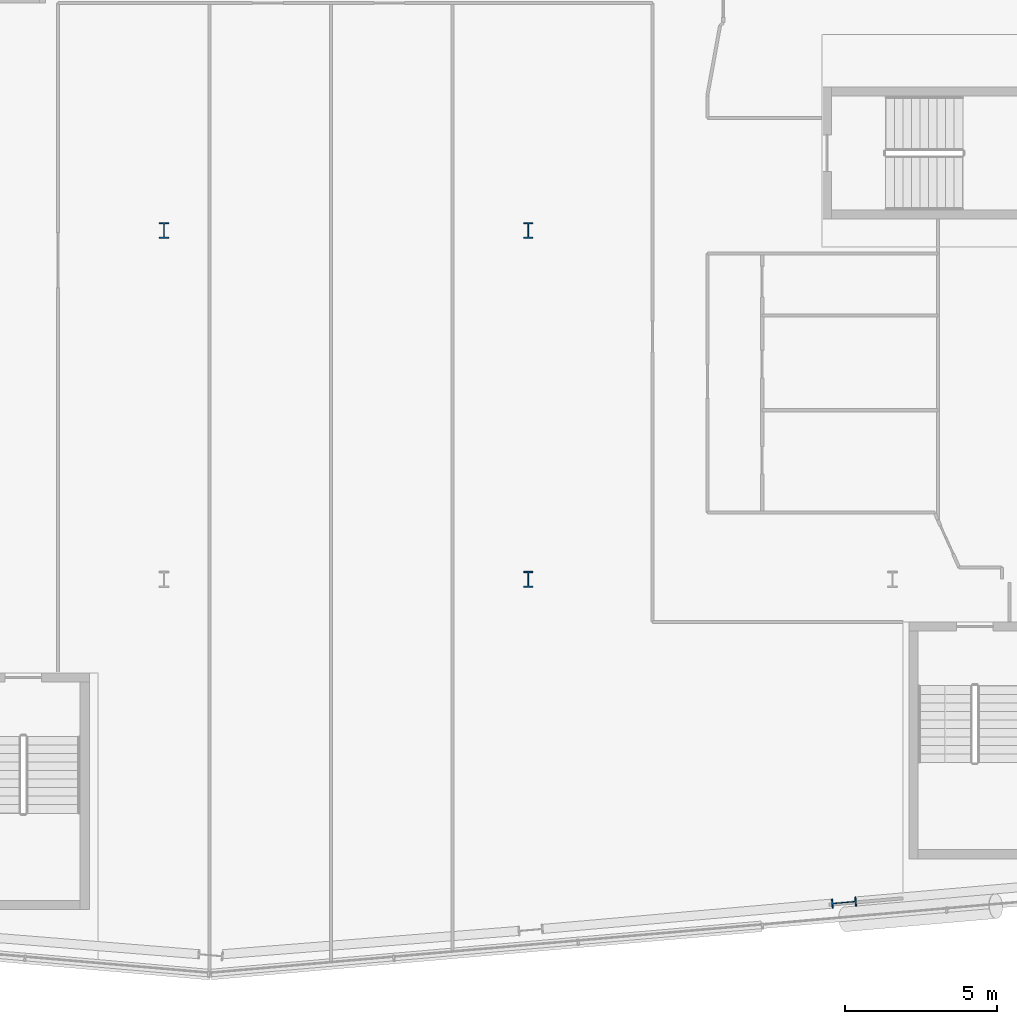
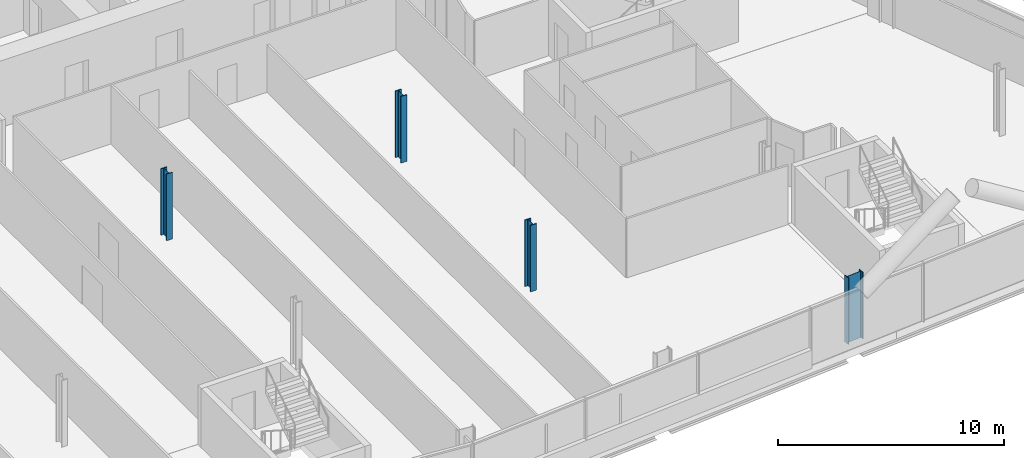
# One storey, part 2 of 25: 4 columns.
"""IFC4 building model written with IfcOpenShell, lengths in metres."""

from ifc_helpers import new_model, si_unit, direction, frame, origin, origin_2d, place, context, subcontext, project, spatial, i_section, extrude, material, material_profile, profile_set, type_object, element, save


model = new_model("IFC4")

# Units and contexts
model_context = context("Model", 3, precision=1e-05, world=origin(), true_north=direction((0.0, 1.0)))
body_context = subcontext(model_context, "Body", "Model", "MODEL_VIEW")
ifc_project = project(units=[si_unit("LENGTHUNIT", "METRE"), si_unit("AREAUNIT", "SQUARE_METRE"), si_unit("VOLUMEUNIT", "CUBIC_METRE"), si_unit("PLANEANGLEUNIT", "RADIAN"), si_unit("MASSUNIT", "GRAM", prefix="KILO")], contexts=[model_context])

# Site, building, storey
site_placement = place(None, origin())
site = spatial("IfcSite", under=ifc_project, at=site_placement, CompositionType="ELEMENT")
building_placement = place(site_placement, origin())
building = spatial("IfcBuilding", under=site, at=building_placement, Name="Wharfspan Tower", CompositionType="ELEMENT")
storey_placement = place(building_placement, frame((0.0, 0.0, 129.100098)))
storey = spatial("IfcBuildingStorey", under=building, at=storey_placement, Name="L30", CompositionType="ELEMENT", Elevation=129.100098)

# Columns
ifc_material = material(Name="Steel S355J2", Category="steel")
ifc_material_profile_1 = material_profile(ifc_material, i_section(OverallWidth=0.305908, OverallDepth=0.523926, WebThickness=0.020996, FlangeThickness=0.040039, FilletRadius=0.0271, at=origin_2d()))
ifc_profile_set_1 = profile_set([ifc_material_profile_1], Name="Steel S355J2")
column_type_1 = type_object("IfcColumnType", Name="Column HEM 500", PredefinedType="COLUMN", material=ifc_profile_set_1)
for number, where, z_axis, x_axis, name in (
    (1, (60.0, 11.5, 0.0), (0.0, 0.0, 1.0), (1.0, 0.0, 0.0), "Interior column I.1.5 L30"),
    (2, (48.0, 23.0, 0.0), (0.0, 0.0, 1.0), (1.0, 0.0, 0.0), "Interior column I.2.3 L30"),
    (3, (60.0, 23.0, 0.0), (0.0, 0.0, 1.0), (1.0, 0.0, 0.0), "Interior column I.2.4 L30"),
):
    element("IfcColumn", number, at=place(storey_placement, frame(where, z_axis=z_axis, x_axis=x_axis)), inside=storey, type_object=column_type_1, Name=name, PredefinedType="COLUMN", context=body_context, shape_type="SweptSolid", body=[
        extrude(i_section(OverallWidth=0.305908, OverallDepth=0.523926, WebThickness=0.020996, FlangeThickness=0.040039, FilletRadius=0.0271, at=origin_2d()), origin(), (0.0, 0.0, 1.0), 3.599854),
    ])
ifc_material_profile_2 = material_profile(ifc_material, i_section(OverallWidth=0.302979, OverallDepth=0.813965, WebThickness=0.020996, FlangeThickness=0.040039, FilletRadius=0.030029, at=origin_2d()))
ifc_profile_set_2 = profile_set([ifc_material_profile_2], Name="Steel S355J2")
column_type_2 = type_object("IfcColumnType", Name="Column HEM 800", PredefinedType="COLUMN", material=ifc_profile_set_2)
column_placement = place(storey_placement, frame((70.404053, 0.852783, 0.0), z_axis=(0.0, 0.0, 1.0), x_axis=(0.087156, -0.996198, 0.0)))
element("IfcColumn", 4, at=column_placement, inside=storey, type_object=column_type_2, Name="Perimeter column PS2.2 L30", PredefinedType="COLUMN", context=body_context, shape_type="SweptSolid", body=[
    extrude(i_section(OverallWidth=0.302979, OverallDepth=0.813965, WebThickness=0.020996, FlangeThickness=0.040039, FilletRadius=0.030029, at=origin_2d()), origin(), (0.0, 0.0, 1.0), 3.599854),
])

save(model, "model.ifc")
